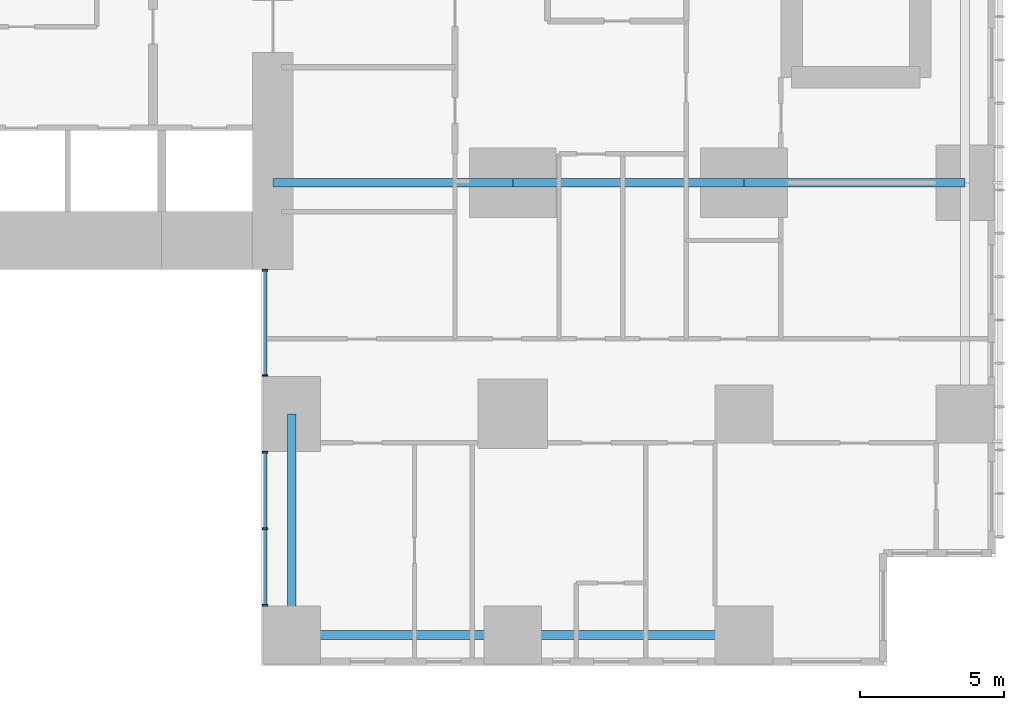
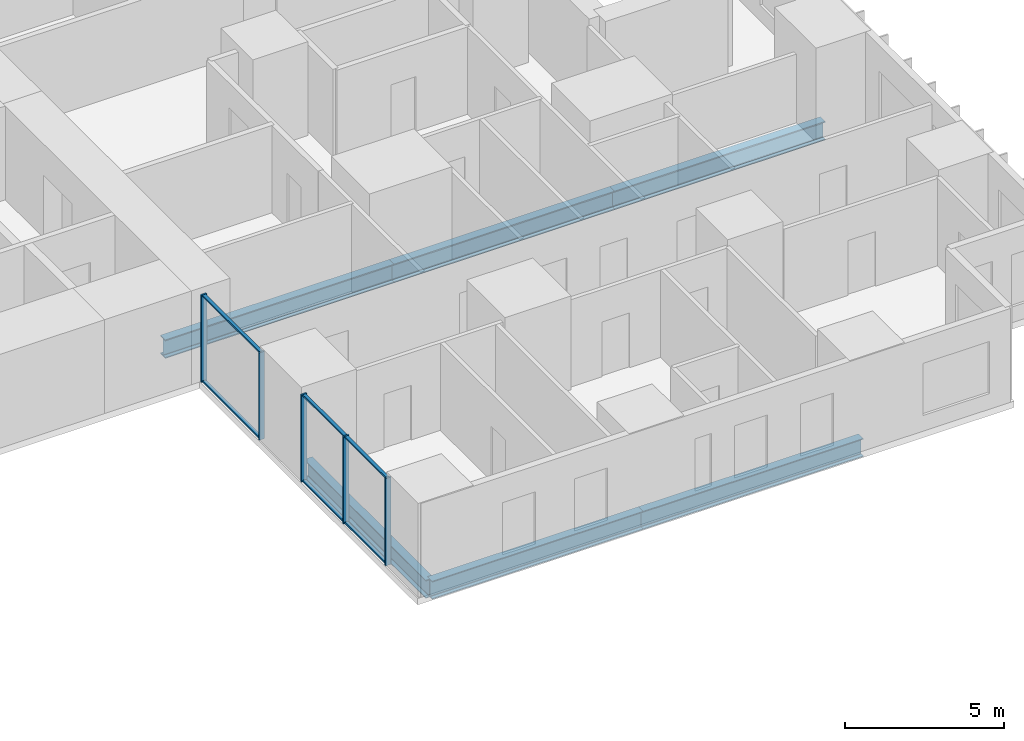
# One storey, part 3 of 20: 11 members, 6 beams, 2 elements without a shape of their own.
"""IFC4 building model written with IfcOpenShell, lengths in metres."""

from ifc_helpers import new_model, si_unit, direction, frame, origin, origin_2d, place, context, subcontext, project, spatial, rectangle, i_section, extrude, material, layer, layer_set, material_profile, profile_set, type_object, element, aggregate, save


model = new_model("IFC4")

# Units and contexts
model_context = context("Model", 3, precision=1e-05, world=origin(), true_north=direction((0.0, 1.0)))
body_context = subcontext(model_context, "Body", "Model", "MODEL_VIEW")
ifc_project = project(units=[si_unit("LENGTHUNIT", "METRE"), si_unit("AREAUNIT", "SQUARE_METRE"), si_unit("VOLUMEUNIT", "CUBIC_METRE"), si_unit("PLANEANGLEUNIT", "RADIAN"), si_unit("MASSUNIT", "GRAM", prefix="KILO")], contexts=[model_context])

# Site, building, storey
site_placement = place(None, origin())
site = spatial("IfcSite", under=ifc_project, at=site_placement, CompositionType="ELEMENT")
building_placement = place(site_placement, origin())
building = spatial("IfcBuilding", under=site, at=building_placement, Name="Cleftline Residences", CompositionType="ELEMENT")
storey_placement = place(building_placement, frame((0.0, 0.0, 69.199951171875)))
storey = spatial("IfcBuildingStorey", under=building, at=storey_placement, Name="L17", CompositionType="ELEMENT", Elevation=69.199951171875)

# Beams
ifc_material_1 = material(Name="Steel S355", Category="steel")
ifc_material_profile_1 = material_profile(ifc_material_1, i_section(OverallWidth=0.300048828125, OverallDepth=0.699951171875, WebThickness=0.01708984375, FlangeThickness=0.031982421875, FilletRadius=0.027099609375, at=origin_2d()))
ifc_profile_set_1 = profile_set([ifc_material_profile_1], Name="Steel S355")
beam_type_1 = type_object("IfcBeamType", Name="BEAM HEB 700", PredefinedType="BEAM", material=ifc_profile_set_1)
beam_1_placement = place(storey_placement, frame((58.0, 0.35009765625, -0.599853515625), z_axis=(-1.0, 0.0, 0.0), x_axis=(0.0, -1.0, 0.0)))
element("IfcBeam", 1, at=beam_1_placement, inside=storey, type_object=beam_type_1, Name="Edge beam", PredefinedType="BEAM", context=body_context, shape_type="SweptSolid", body=[
    extrude(i_section(OverallWidth=0.300048828125, OverallDepth=0.699951171875, WebThickness=0.01708984375, FlangeThickness=0.031982421875, FilletRadius=0.027099609375, at=origin_2d()), origin(), (0.0, 0.0, 1.0), 8.0),
])
for number, where, z_axis, x_axis, name in (
    (2, (50.0, 0.35009765625, -0.599853515625), (-1.0, 0.0, 0.0), (0.0, -1.0, 0.0), "Edge beam"),
    (3, (42.35009765625, 0.35009765625, -0.599853515625), (0.0, 1.0, 0.0), (-1.0, 0.0, 0.0), "Edge beam"),
):
    element("IfcBeam", number, at=place(storey_placement, frame(where, z_axis=z_axis, x_axis=x_axis)), inside=storey, type_object=beam_type_1, Name=name, PredefinedType="BEAM", context=body_context, shape_type="SweptSolid", body=[
        extrude(i_section(OverallWidth=0.300048828125, OverallDepth=0.699951171875, WebThickness=0.01708984375, FlangeThickness=0.031982421875, FilletRadius=0.027099609375, at=origin_2d()), origin(), (0.0, 0.0, 1.0), 7.64990234375),
    ])
ifc_material_2 = material(Name="Steel S355", Category="steel")
ifc_material_profile_2 = material_profile(ifc_material_2, i_section(OverallWidth=0.303955078125, OverallDepth=0.716064453125, WebThickness=0.02099609375, FlangeThickness=0.0400390625, FilletRadius=0.027099609375, at=origin_2d()))
ifc_profile_set_2 = profile_set([ifc_material_profile_2], Name="Steel S355")
beam_type_2 = type_object("IfcBeamType", Name="BEAM HEM 700", PredefinedType="BEAM", material=ifc_profile_set_2)
beam_2_placement = place(storey_placement, frame((65.64990234375, 16.0, -0.60791015625), z_axis=(-1.0, 0.0, 0.0), x_axis=(0.0, -1.0, 0.0)))
element("IfcBeam", 4, at=beam_2_placement, inside=storey, type_object=beam_type_2, Name="Band beam", PredefinedType="BEAM", context=body_context, shape_type="SweptSolid", body=[
    extrude(i_section(OverallWidth=0.303955078125, OverallDepth=0.716064453125, WebThickness=0.02099609375, FlangeThickness=0.0400390625, FilletRadius=0.027099609375, at=origin_2d()), origin(), (0.0, 0.0, 1.0), 7.64990234375),
])
beam_3_placement = place(storey_placement, frame((58.0, 16.0, -0.60791015625), z_axis=(-1.0, 0.0, 0.0), x_axis=(0.0, -1.0, 0.0)))
element("IfcBeam", 5, at=beam_3_placement, inside=storey, type_object=beam_type_2, Name="Band beam", PredefinedType="BEAM", context=body_context, shape_type="SweptSolid", body=[
    extrude(i_section(OverallWidth=0.303955078125, OverallDepth=0.716064453125, WebThickness=0.02099609375, FlangeThickness=0.0400390625, FilletRadius=0.027099609375, at=origin_2d()), origin(), (0.0, 0.0, 1.0), 8.0),
])
beam_4_placement = place(storey_placement, frame((50.0, 16.0, -0.60791015625), z_axis=(-1.0, 0.0, 0.0), x_axis=(0.0, -1.0, 0.0)))
element("IfcBeam", 6, at=beam_4_placement, inside=storey, type_object=beam_type_2, Name="Band beam", PredefinedType="BEAM", context=body_context, shape_type="SweptSolid", body=[
    extrude(i_section(OverallWidth=0.303955078125, OverallDepth=0.716064453125, WebThickness=0.02099609375, FlangeThickness=0.0400390625, FilletRadius=0.027099609375, at=origin_2d()), origin(), (0.0, 0.0, 1.0), 8.300048828125),
])

# Curtain wall, members
ifc_material_3 = material(Name="Aluminium framed curtain wall", Category="aluminium")
ifc_layer = layer(ifc_material_3, 0.199951171875)
ifc_layer_set = layer_set([ifc_layer], Name="CW1 CLEFT GLAZING")
curtain_wall_type = type_object("IfcCurtainWallType", Name="CW1 CLEFT GLAZING", PredefinedType="NOTDEFINED", material=ifc_layer_set)
curtain_wall_1_placement = place(storey_placement, origin())
curtain_wall_1 = element("IfcCurtainWall", 7, at=curtain_wall_1_placement, inside=storey, type_object=curtain_wall_type, Name="Curtain wall CW1", PredefinedType="NOTDEFINED")
ifc_material_4 = material(Name="Aluminium mullion", Category="aluminium")
ifc_material_profile_3 = material_profile(ifc_material_4, rectangle(XDim=0.199951171875, YDim=0.06005859375, at=origin_2d()))
ifc_profile_set_3 = profile_set([ifc_material_profile_3], Name="Aluminium mullion")
member_type_1 = type_object("IfcMemberType", Name="CW1 MULLION", PredefinedType="MULLION", material=ifc_profile_set_3)
member_1_placement = place(storey_placement, frame((41.425048828125, 12.969970703125, 0.0), z_axis=(0.0, 0.0, 1.0), x_axis=(1.0, 0.0, 0.0)))
member_1 = element("IfcMember", 8, at=member_1_placement, type_object=member_type_1, Name="CW1 mullion 1", PredefinedType="MULLION", context=body_context, shape_type="SweptSolid", body=[
    extrude(rectangle(XDim=0.199951171875, YDim=0.06005859375, at=origin_2d()), origin(), (0.0, 0.0, 1.0), 3.35009765625),
])
member_2_placement = place(storey_placement, frame((41.425048828125, 9.330078125, 0.0), z_axis=(0.0, 0.0, 1.0), x_axis=(1.0, 0.0, 0.0)))
member_2 = element("IfcMember", 9, at=member_2_placement, type_object=member_type_1, Name="CW1 mullion 2", PredefinedType="MULLION", context=body_context, shape_type="SweptSolid", body=[
    extrude(rectangle(XDim=0.199951171875, YDim=0.06005859375, at=origin_2d()), origin(), (0.0, 0.0, 1.0), 3.35009765625),
])

curtain_wall_2_placement = place(storey_placement, origin())
curtain_wall_2 = element("IfcCurtainWall", 10, at=curtain_wall_2_placement, inside=storey, type_object=curtain_wall_type, Name="Curtain wall CW1", PredefinedType="NOTDEFINED")
member_3_placement = place(storey_placement, frame((41.425048828125, 6.669921875, 0.0), z_axis=(0.0, 0.0, 1.0), x_axis=(1.0, 0.0, 0.0)))
member_3 = element("IfcMember", 11, at=member_3_placement, type_object=member_type_1, Name="CW1 mullion 1", PredefinedType="MULLION", context=body_context, shape_type="SweptSolid", body=[
    extrude(rectangle(XDim=0.199951171875, YDim=0.06005859375, at=origin_2d()), origin(), (0.0, 0.0, 1.0), 3.35009765625),
])
member_4_placement = place(storey_placement, frame((41.425048828125, 4.02490234375, 0.0), z_axis=(0.0, 0.0, 1.0), x_axis=(1.0, 0.0, 0.0)))
member_4 = element("IfcMember", 12, at=member_4_placement, type_object=member_type_1, Name="CW1 mullion 2", PredefinedType="MULLION", context=body_context, shape_type="SweptSolid", body=[
    extrude(rectangle(XDim=0.199951171875, YDim=0.06005859375, at=origin_2d()), origin(), (0.0, 0.0, 1.0), 3.35009765625),
])
member_5_placement = place(storey_placement, frame((41.425048828125, 1.3798828125, 0.0), z_axis=(0.0, 0.0, 1.0), x_axis=(1.0, 0.0, 0.0)))
member_5 = element("IfcMember", 13, at=member_5_placement, type_object=member_type_1, Name="CW1 mullion 3", PredefinedType="MULLION", context=body_context, shape_type="SweptSolid", body=[
    extrude(rectangle(XDim=0.199951171875, YDim=0.06005859375, at=origin_2d()), origin(), (0.0, 0.0, 1.0), 3.35009765625),
])

# Member
ifc_material_5 = material(Name="Aluminium transom", Category="aluminium")
ifc_material_profile_4 = material_profile(ifc_material_5, rectangle(XDim=0.1201171875, YDim=0.06005859375, at=origin_2d()))
ifc_profile_set_4 = profile_set([ifc_material_profile_4], Name="Aluminium transom")
member_type_2 = type_object("IfcMemberType", Name="CW1 TRANSOM", PredefinedType="USERDEFINED", material=ifc_profile_set_4)
member_6_placement = place(storey_placement, frame((41.425048828125, 12.93994140625, 0.030029296875), z_axis=(0.0, -1.0, 0.0), x_axis=(1.0, 0.0, 0.0)))
member_6 = element("IfcMember", 14, at=member_6_placement, type_object=member_type_2, Name="CW1 transom 1.1", ObjectType="TRANSOM", PredefinedType="USERDEFINED", context=body_context, shape_type="SweptSolid", body=[
    extrude(rectangle(XDim=0.1201171875, YDim=0.06005859375, at=origin_2d()), origin(), (0.0, 0.0, 1.0), 3.579833984375),
])

member_7_placement = place(storey_placement, frame((41.425048828125, 12.93994140625, 3.320068359375), z_axis=(0.0, -1.0, 0.0), x_axis=(1.0, 0.0, 0.0)))
member_7 = element("IfcMember", 15, at=member_7_placement, type_object=member_type_2, Name="CW1 transom 1.2", ObjectType="TRANSOM", PredefinedType="USERDEFINED", context=body_context, shape_type="SweptSolid", body=[
    extrude(rectangle(XDim=0.1201171875, YDim=0.06005859375, at=origin_2d()), origin(), (0.0, 0.0, 1.0), 3.579833984375),
])

aggregate(curtain_wall_1, [member_1, member_2, member_6, member_7])

member_8_placement = place(storey_placement, frame((41.425048828125, 6.639892578125, 0.030029296875), z_axis=(0.0, -1.0, 0.0), x_axis=(1.0, 0.0, 0.0)))
member_8 = element("IfcMember", 16, at=member_8_placement, type_object=member_type_2, Name="CW1 transom 1.1", ObjectType="TRANSOM", PredefinedType="USERDEFINED", context=body_context, shape_type="SweptSolid", body=[
    extrude(rectangle(XDim=0.1201171875, YDim=0.06005859375, at=origin_2d()), origin(), (0.0, 0.0, 1.0), 2.5849609375),
])

member_9_placement = place(storey_placement, frame((41.425048828125, 6.639892578125, 3.320068359375), z_axis=(0.0, -1.0, 0.0), x_axis=(1.0, 0.0, 0.0)))
member_9 = element("IfcMember", 17, at=member_9_placement, type_object=member_type_2, Name="CW1 transom 1.2", ObjectType="TRANSOM", PredefinedType="USERDEFINED", context=body_context, shape_type="SweptSolid", body=[
    extrude(rectangle(XDim=0.1201171875, YDim=0.06005859375, at=origin_2d()), origin(), (0.0, 0.0, 1.0), 2.5849609375),
])

member_10_placement = place(storey_placement, frame((41.425048828125, 3.9951171875, 0.030029296875), z_axis=(0.0, -1.0, 0.0), x_axis=(1.0, 0.0, 0.0)))
member_10 = element("IfcMember", 18, at=member_10_placement, type_object=member_type_2, Name="CW1 transom 2.1", ObjectType="TRANSOM", PredefinedType="USERDEFINED", context=body_context, shape_type="SweptSolid", body=[
    extrude(rectangle(XDim=0.1201171875, YDim=0.06005859375, at=origin_2d()), origin(), (0.0, 0.0, 1.0), 2.585205078125),
])

member_11_placement = place(storey_placement, frame((41.425048828125, 3.9951171875, 3.320068359375), z_axis=(0.0, -1.0, 0.0), x_axis=(1.0, 0.0, 0.0)))
member_11 = element("IfcMember", 19, at=member_11_placement, type_object=member_type_2, Name="CW1 transom 2.2", ObjectType="TRANSOM", PredefinedType="USERDEFINED", context=body_context, shape_type="SweptSolid", body=[
    extrude(rectangle(XDim=0.1201171875, YDim=0.06005859375, at=origin_2d()), origin(), (0.0, 0.0, 1.0), 2.585205078125),
])

aggregate(curtain_wall_2, [member_3, member_4, member_5, member_8, member_9, member_10, member_11])

save(model, "model.ifc")
